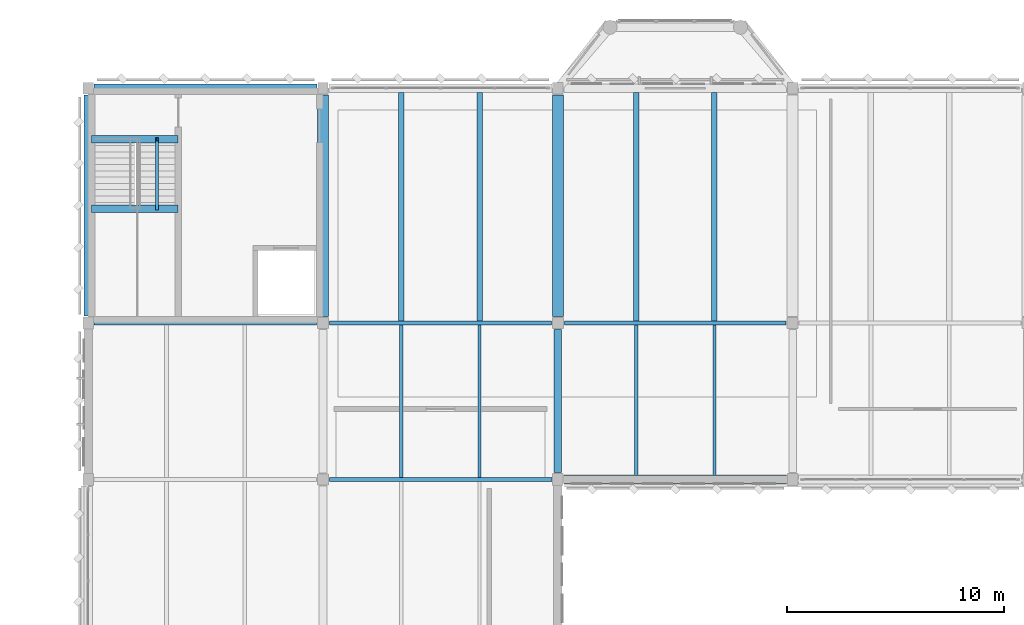
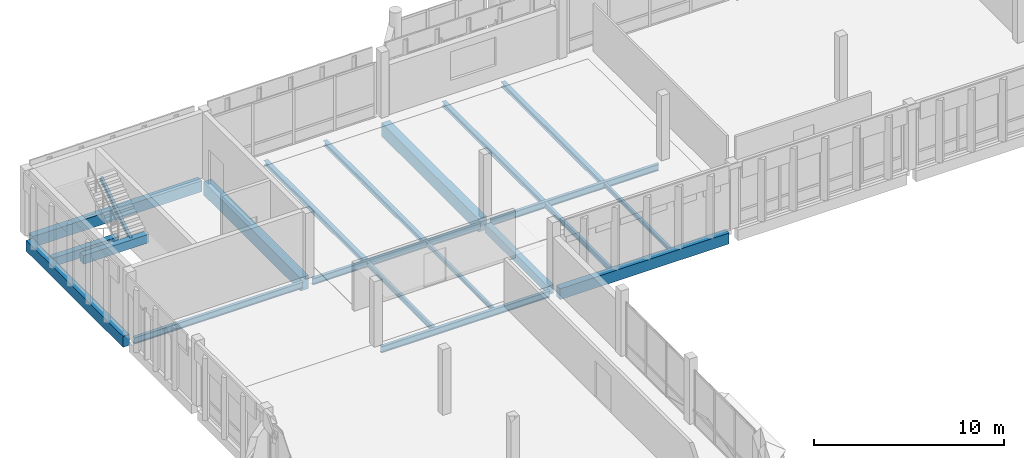
# One storey, part 21 of 72: 21 beams.
"""IFC4 building model written with IfcOpenShell, lengths in metres."""

from ifc_helpers import new_model, si_unit, direction, frame, origin, origin_2d, place, context, subcontext, project, spatial, rectangle, i_section, extrude, material, material_profile, profile_set, type_object, element, save


model = new_model("IFC4")

# Units and contexts
model_context = context("Model", 3, precision=1e-05, world=origin(), true_north=direction((0.0, 1.0)))
body_context = subcontext(model_context, "Body", "Model", "MODEL_VIEW")
ifc_project = project(units=[si_unit("LENGTHUNIT", "METRE"), si_unit("AREAUNIT", "SQUARE_METRE"), si_unit("VOLUMEUNIT", "CUBIC_METRE"), si_unit("PLANEANGLEUNIT", "RADIAN"), si_unit("MASSUNIT", "GRAM", prefix="KILO")], contexts=[model_context])

# Site, building, storey
site_placement = place(None, origin())
site = spatial("IfcSite", under=ifc_project, at=site_placement, CompositionType="ELEMENT")
building_placement = place(site_placement, origin())
building = spatial("IfcBuilding", under=site, at=building_placement, Name="Lusvemor Sports Hall", CompositionType="ELEMENT")
storey_placement = place(building_placement, frame((0.0, 0.0, 15.0)))
storey = spatial("IfcBuildingStorey", under=building, at=storey_placement, Name="L03", CompositionType="ELEMENT", Elevation=15.0)

# Beams
ifc_material_1 = material(Name="Concrete C40/50", Category="concrete")
ifc_material_profile_1 = material_profile(ifc_material_1, rectangle(XDim=0.35009765625, YDim=0.550048828125, at=origin_2d()), Name="RC350x550")
ifc_profile_set_1 = profile_set([ifc_material_profile_1], Name="Concrete C40/50")
beam_type_1 = type_object("IfcBeamType", Name="BEAM_RC_550", PredefinedType="BEAM", material=ifc_profile_set_1)
beam_1_placement = place(storey_placement, frame((21.60009765625, 97.51611328125, -0.514892578125), z_axis=(0.0, 1.0, 0.0), x_axis=(-1.0, 0.0, 0.0)))
element("IfcBeam", 1, at=beam_1_placement, inside=storey, type_object=beam_type_1, Name="Beam L03 3:N-P", PredefinedType="BEAM", context=body_context, shape_type="SweptSolid", body=[
    extrude(rectangle(XDim=0.35009765625, YDim=0.550048828125, at=origin_2d()), origin(), (0.0, 0.0, 1.0), 6.587890625),
])
for number, where, z_axis, x_axis, name in (
    (2, (0.159912109375, 112.85009765625, -0.455078125), (1.0, 0.0, 0.0), (0.0, 1.0, 0.0), "Stair STR-C1-L02 Top-Landing Beam"),
    (3, (0.159912109375, 109.659912109375, 1.64501953125), (1.0, 0.0, 0.0), (0.0, 1.0, 0.0), "Stair STR-C1-L03 Mid-Landing Beam"),
):
    element("IfcBeam", number, at=place(storey_placement, frame(where, z_axis=z_axis, x_axis=x_axis)), inside=storey, type_object=beam_type_1, Name=name, PredefinedType="BEAM", context=body_context, shape_type="SweptSolid", body=[
        extrude(rectangle(XDim=0.35009765625, YDim=0.550048828125, at=origin_2d()), origin(), (0.0, 0.0, 1.0), 3.97998046875),
    ])
ifc_material_2 = material(Name="Steel S355", Category="steel")
ifc_material_profile_2 = material_profile(ifc_material_2, i_section(OverallWidth=0.180908203125, OverallDepth=0.4169921875, WebThickness=0.010986328125, FlangeThickness=0.018310546875, FilletRadius=0.01611328125, at=origin_2d()), Name="W410x85.0")
ifc_profile_set_2 = profile_set([ifc_material_profile_2], Name="Steel S355")
beam_type_2 = type_object("IfcBeamType", Name="BEAM_ST_410H", PredefinedType="BEAM", material=ifc_profile_set_2)
for number, where, z_axis, x_axis, name in (
    (4, (11.095947265625, 97.199951171875, -0.452392578125), (1.0, 0.0, 0.0), (0.0, 1.0, 0.0), "Beam L03 N:2-3"),
    (5, (0.27587890625, 104.39990234375, -0.452392578125), (1.0, 0.0, 0.0), (0.0, 1.0, 0.0), "Beam L03 P:1-2"),
):
    element("IfcBeam", number, at=place(storey_placement, frame(where, z_axis=z_axis, x_axis=x_axis)), inside=storey, type_object=beam_type_2, Name=name, PredefinedType="BEAM", context=body_context, shape_type="SweptSolid", body=[
        extrude(i_section(OverallWidth=0.180908203125, OverallDepth=0.4169921875, WebThickness=0.010986328125, FlangeThickness=0.018310546875, FilletRadius=0.01611328125, at=origin_2d()), origin(), (0.0, 0.0, 1.0), 10.22802734375),
    ])
for number, where, z_axis, x_axis, name in (
    (6, (11.095947265625, 104.39990234375, -0.452392578125), (1.0, 0.0, 0.0), (0.0, 1.0, 0.0), "Beam L03 P:2-3"),
    (7, (21.89599609375, 104.39990234375, -0.452392578125), (1.0, 0.0, 0.0), (0.0, 1.0, 0.0), "Beam L03 P:3-4"),
):
    element("IfcBeam", number, at=place(storey_placement, frame(where, z_axis=z_axis, x_axis=x_axis)), inside=storey, type_object=beam_type_2, Name=name, PredefinedType="BEAM", context=body_context, shape_type="SweptSolid", body=[
        extrude(i_section(OverallWidth=0.180908203125, OverallDepth=0.4169921875, WebThickness=0.010986328125, FlangeThickness=0.018310546875, FilletRadius=0.01611328125, at=origin_2d()), origin(), (0.0, 0.0, 1.0), 10.2080078125),
    ])
ifc_material_3 = material(Name="Concrete C40/50", Category="concrete")
ifc_material_profile_3 = material_profile(ifc_material_3, rectangle(XDim=0.5, YDim=0.85009765625, at=origin_2d()), Name="RC500x850")
ifc_profile_set_3 = profile_set([ifc_material_profile_3], Name="Concrete C40/50")
beam_type_3 = type_object("IfcBeamType", Name="GIRD_RC_850", PredefinedType="T_BEAM", material=ifc_profile_set_3)
for number, where, z_axis, x_axis, name in (
    (8, (10.800048828125, 104.696044921875, -0.6650390625), (0.0, 1.0, 0.0), (-1.0, 0.0, 0.0), "Beam L03 2:P-Q"),
    (9, (21.60009765625, 104.696044921875, -0.6650390625), (0.0, 1.0, 0.0), (-1.0, 0.0, 0.0), "Beam L03 3:P-Q"),
):
    element("IfcBeam", number, at=place(storey_placement, frame(where, z_axis=z_axis, x_axis=x_axis)), inside=storey, type_object=beam_type_3, Name=name, PredefinedType="T_BEAM", context=body_context, shape_type="SweptSolid", body=[
        extrude(rectangle(XDim=0.5, YDim=0.85009765625, at=origin_2d()), origin(), (0.0, 0.0, 1.0), 10.18798828125),
    ])
ifc_material_4 = material(Name="Steel S355", Category="steel")
ifc_material_profile_4 = material_profile(ifc_material_4, i_section(OverallWidth=0.14794921875, OverallDepth=0.26611328125, WebThickness=0.007568359375, FlangeThickness=0.012939453125, FilletRadius=0.012939453125, at=origin_2d()), Name="W250x44.8")
ifc_profile_set_4 = profile_set([ifc_material_profile_4], Name="Steel S355")
beam_type_4 = type_object("IfcBeamType", Name="JOIST_ST_250M", PredefinedType="JOIST", material=ifc_profile_set_4)
beam_2_placement = place(storey_placement, frame((18.0, 97.28662109375, -0.376953125), z_axis=(0.0, 1.0, 0.0), x_axis=(-1.0, 0.0, 0.0)))
element("IfcBeam", 10, at=beam_2_placement, inside=storey, type_object=beam_type_4, Name="Secondary Joist L03 2-3/N-P #2", PredefinedType="JOIST", context=body_context, shape_type="SweptSolid", body=[
    extrude(i_section(OverallWidth=0.14794921875, OverallDepth=0.26611328125, WebThickness=0.007568359375, FlangeThickness=0.012939453125, FilletRadius=0.012939453125, at=origin_2d()), origin(), (0.0, 0.0, 1.0), 7.02685546875),
])
beam_3_placement = place(storey_placement, frame((28.800048828125, 97.39599609375, -0.376953125), z_axis=(0.0, 1.0, 0.0), x_axis=(-1.0, 0.0, 0.0)))
element("IfcBeam", 11, at=beam_3_placement, inside=storey, type_object=beam_type_4, Name="Secondary Joist L03 3-4/N-P #2", PredefinedType="JOIST", context=body_context, shape_type="SweptSolid", body=[
    extrude(i_section(OverallWidth=0.14794921875, OverallDepth=0.26611328125, WebThickness=0.007568359375, FlangeThickness=0.012939453125, FilletRadius=0.012939453125, at=origin_2d()), origin(), (0.0, 0.0, 1.0), 6.91748046875),
])
beam_4_placement = place(storey_placement, frame((3.159912109375, 109.659912109375, 1.7548828125), z_axis=(0.0, 0.835261802243, 0.549852454495), x_axis=(-1.0, 0.0, 0.0)))
element("IfcBeam", 12, at=beam_4_placement, inside=storey, type_object=beam_type_4, Name="Stair STR-C1-L03 Flight 2 Stringer Beam", PredefinedType="JOIST", context=body_context, shape_type="SweptSolid", body=[
    extrude(i_section(OverallWidth=0.14794921875, OverallDepth=0.26611328125, WebThickness=0.007568359375, FlangeThickness=0.012939453125, FilletRadius=0.012939453125, at=origin_2d()), origin(), (0.0, 0.0, 1.0), 3.8193359375),
])
ifc_material_5 = material(Name="Steel S355", Category="steel")
ifc_material_profile_5 = material_profile(ifc_material_5, i_section(OverallWidth=0.25390625, OverallDepth=0.305908203125, WebThickness=0.0087890625, FlangeThickness=0.0146484375, FilletRadius=0.014892578125, at=origin_2d()), Name="W310x79.0")
ifc_profile_set_5 = profile_set([ifc_material_profile_5], Name="Steel S355")
beam_type_5 = type_object("IfcBeamType", Name="JOIST_ST_310H", PredefinedType="JOIST", material=ifc_profile_set_5)
for number, where, z_axis, x_axis, name in (
    (13, (14.39990234375, 104.486572265625, -0.39697265625), (0.0, 1.0, 0.0), (-1.0, 0.0, 0.0), "Secondary Joist L03 2-3/P-Q #1"),
    (14, (18.0, 104.486572265625, -0.39697265625), (0.0, 1.0, 0.0), (-1.0, 0.0, 0.0), "Secondary Joist L03 2-3/P-Q #2"),
    (15, (25.199951171875, 104.486572265625, -0.39697265625), (0.0, 1.0, 0.0), (-1.0, 0.0, 0.0), "Secondary Joist L03 3-4/P-Q #1"),
    (16, (28.800048828125, 104.486572265625, -0.39697265625), (0.0, 1.0, 0.0), (-1.0, 0.0, 0.0), "Secondary Joist L03 3-4/P-Q #2"),
):
    element("IfcBeam", number, at=place(storey_placement, frame(where, z_axis=z_axis, x_axis=x_axis)), inside=storey, type_object=beam_type_5, Name=name, PredefinedType="JOIST", context=body_context, shape_type="SweptSolid", body=[
        extrude(i_section(OverallWidth=0.25390625, OverallDepth=0.305908203125, WebThickness=0.0087890625, FlangeThickness=0.0146484375, FilletRadius=0.014892578125, at=origin_2d()), origin(), (0.0, 0.0, 1.0), 10.517333984375),
    ])
ifc_material_6 = material(Name="Steel S355", Category="steel")
ifc_material_profile_6 = material_profile(ifc_material_6, i_section(OverallWidth=0.1669921875, OverallDepth=0.31689453125, WebThickness=0.007568359375, FlangeThickness=0.01318359375, FilletRadius=0.014892578125, at=origin_2d()), Name="W310x52.0")
ifc_profile_set_6 = profile_set([ifc_material_profile_6], Name="Steel S355")
beam_type_6 = type_object("IfcBeamType", Name="JOIST_ST_310M", PredefinedType="JOIST", material=ifc_profile_set_6)
beam_5_placement = place(storey_placement, frame((14.39990234375, 97.28662109375, -0.402587890625), z_axis=(0.0, 1.0, 0.0), x_axis=(-1.0, 0.0, 0.0)))
element("IfcBeam", 17, at=beam_5_placement, inside=storey, type_object=beam_type_6, Name="Secondary Joist L03 2-3/N-P #1", PredefinedType="JOIST", context=body_context, shape_type="SweptSolid", body=[
    extrude(i_section(OverallWidth=0.1669921875, OverallDepth=0.31689453125, WebThickness=0.007568359375, FlangeThickness=0.01318359375, FilletRadius=0.014892578125, at=origin_2d()), origin(), (0.0, 0.0, 1.0), 7.02685546875),
])
beam_6_placement = place(storey_placement, frame((25.199951171875, 97.39599609375, -0.402587890625), z_axis=(0.0, 1.0, 0.0), x_axis=(-1.0, 0.0, 0.0)))
element("IfcBeam", 18, at=beam_6_placement, inside=storey, type_object=beam_type_6, Name="Secondary Joist L03 3-4/N-P #1", PredefinedType="JOIST", context=body_context, shape_type="SweptSolid", body=[
    extrude(i_section(OverallWidth=0.1669921875, OverallDepth=0.31689453125, WebThickness=0.007568359375, FlangeThickness=0.01318359375, FilletRadius=0.014892578125, at=origin_2d()), origin(), (0.0, 0.0, 1.0), 6.91748046875),
])
ifc_material_7 = material(Name="Concrete C40/50", Category="concrete")
ifc_material_profile_7 = material_profile(ifc_material_7, rectangle(XDim=0.39990234375, YDim=0.699951171875, at=origin_2d()), Name="RC400x700")
ifc_profile_set_7 = profile_set([ifc_material_profile_7], Name="Concrete C40/50")
beam_type_7 = type_object("IfcBeamType", Name="SPAND_EXT_700", PredefinedType="SPANDREL", material=ifc_profile_set_7)
for number, where, z_axis, x_axis, name in (
    (19, (21.8759765625, 97.199951171875, -0.590087890625), (1.0, 0.0, 0.0), (0.0, 1.0, 0.0), "Beam L03 N:3-4"),
    (20, (0.27587890625, 115.199951171875, -0.590087890625), (1.0, 0.0, 0.0), (0.0, 1.0, 0.0), "Beam L03 Q:1-2"),
):
    element("IfcBeam", number, at=place(storey_placement, frame(where, z_axis=z_axis, x_axis=x_axis)), inside=storey, type_object=beam_type_7, Name=name, PredefinedType="SPANDREL", context=body_context, shape_type="SweptSolid", body=[
        extrude(rectangle(XDim=0.39990234375, YDim=0.699951171875, at=origin_2d()), origin(), (0.0, 0.0, 1.0), 10.248046875),
    ])
beam_7_placement = place(storey_placement, frame((0.0, 104.716064453125, -0.590087890625), z_axis=(0.0, 1.0, 0.0), x_axis=(-1.0, 0.0, 0.0)))
element("IfcBeam", 21, at=beam_7_placement, inside=storey, type_object=beam_type_7, Name="Beam L03 1:P-Q", PredefinedType="SPANDREL", context=body_context, shape_type="SweptSolid", body=[
    extrude(rectangle(XDim=0.39990234375, YDim=0.699951171875, at=origin_2d()), origin(), (0.0, 0.0, 1.0), 10.16796875),
])

save(model, "model.ifc")
